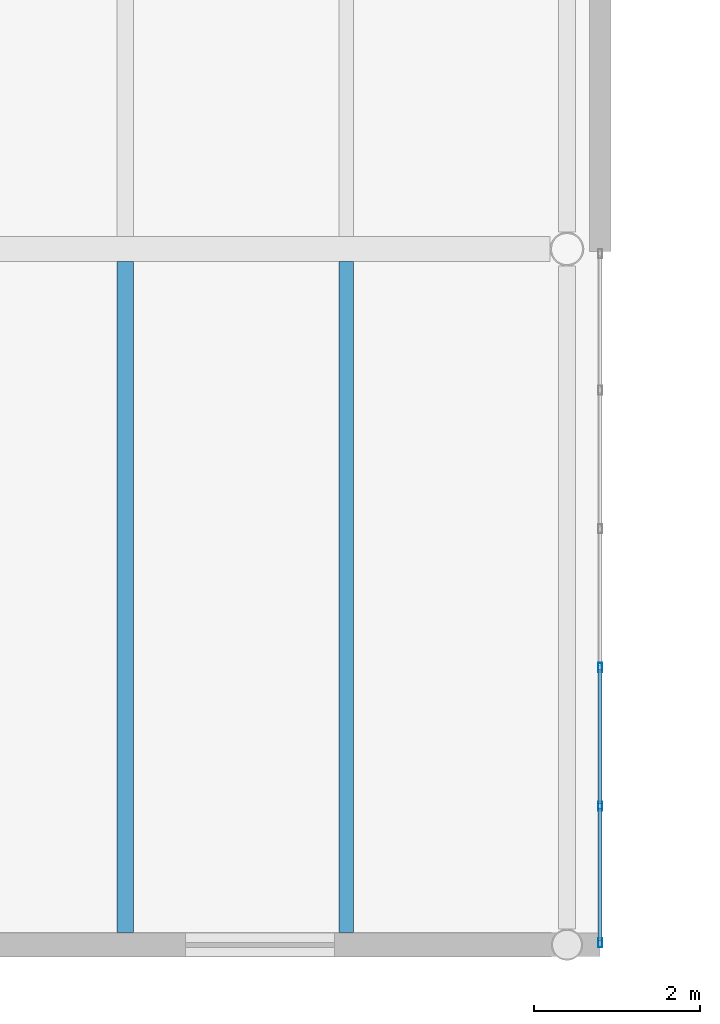
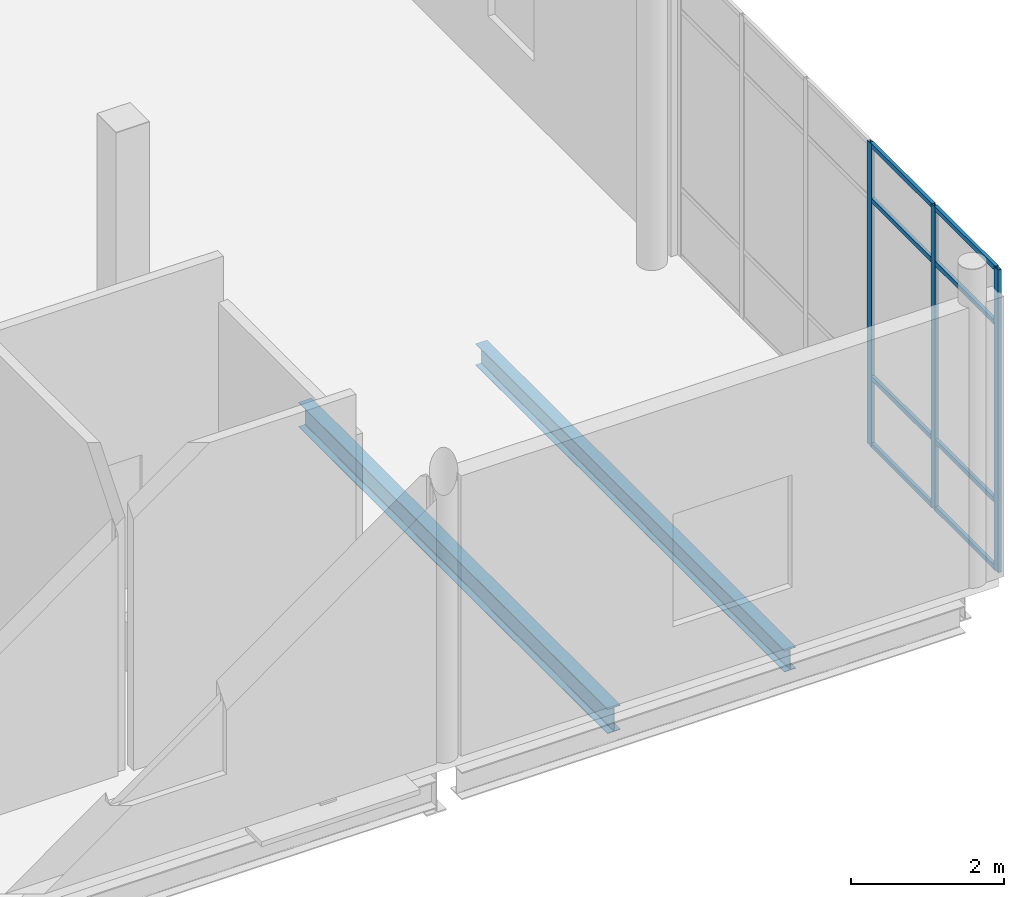
# One storey, part 40 of 104: 11 members, 2 beams, 1 element without a shape of its own.
"""IFC4 building model written with IfcOpenShell, lengths in metres."""

from ifc_helpers import new_model, si_unit, direction, frame, origin, origin_2d, place, context, subcontext, project, spatial, hollow_rectangle, i_section, extrude, material, layer, layer_set, material_profile, profile_set, type_object, element, aggregate, save


model = new_model("IFC4")

# Units and contexts
model_context = context("Model", 3, precision=1e-05, world=origin(), true_north=direction((0.0, 1.0)))
body_context = subcontext(model_context, "Body", "Model", "MODEL_VIEW")
ifc_project = project(units=[si_unit("LENGTHUNIT", "METRE"), si_unit("AREAUNIT", "SQUARE_METRE"), si_unit("VOLUMEUNIT", "CUBIC_METRE"), si_unit("PLANEANGLEUNIT", "RADIAN"), si_unit("MASSUNIT", "GRAM", prefix="KILO"), si_unit("THERMODYNAMICTEMPERATUREUNIT", "KELVIN")], contexts=[model_context])

# Site, building, storey
site_placement = place(None, origin())
site = spatial("IfcSite", under=ifc_project, at=site_placement, CompositionType="ELEMENT")
building_placement = place(site_placement, origin())
building = spatial("IfcBuilding", under=site, at=building_placement, Name="Lustrewick Department Store", CompositionType="ELEMENT")
storey_placement = place(building_placement, frame((0.0, 0.0, 11.39990234375)))
storey = spatial("IfcBuildingStorey", under=building, at=storey_placement, Name="L03", CompositionType="ELEMENT", Elevation=11.39990234375)

# Beams
ifc_material_1 = material(Name="Structural steel Q355B", Category="steel")
ifc_material_profile_1 = material_profile(ifc_material_1, i_section(OverallWidth=0.198974609375, OverallDepth=0.39599609375, WebThickness=0.007080078125, FlangeThickness=0.010986328125, FilletRadius=0.013916015625, at=origin_2d()), Name="HN 396x199x7x11")
ifc_profile_set_1 = profile_set([ifc_material_profile_1], Name="Structural steel Q355B")
beam_type_1 = type_object("IfcBeamType", Name="B06", PredefinedType="JOIST", material=ifc_profile_set_1)
beam_1_placement = place(storey_placement, frame((145.466796875, 8.550048828125, -0.452880859375), z_axis=(0.0, 1.0, 0.0), x_axis=(-1.0, 0.0, 0.0)))
element("IfcBeam", 1, at=beam_1_placement, inside=storey, type_object=beam_type_1, Name="L03 V3 Secondary Joist B06", PredefinedType="JOIST", context=body_context, shape_type="SweptSolid", body=[
    extrude(i_section(OverallWidth=0.198974609375, OverallDepth=0.39599609375, WebThickness=0.007080078125, FlangeThickness=0.010986328125, FilletRadius=0.013916015625, at=origin_2d()), origin(), (0.0, 0.0, 1.0), 8.098876953125),
])
ifc_material_profile_2 = material_profile(ifc_material_1, i_section(OverallWidth=0.174072265625, OverallDepth=0.345947265625, WebThickness=0.006103515625, FlangeThickness=0.009033203125, FilletRadius=0.012939453125, at=origin_2d()), Name="HN 346x174x6x9")
ifc_profile_set_2 = profile_set([ifc_material_profile_2], Name="Structural steel Q355B")
beam_type_2 = type_object("IfcBeamType", Name="B10", PredefinedType="JOIST", material=ifc_profile_set_2)
beam_2_placement = place(storey_placement, frame((148.13330078125, 8.550048828125, -0.427978515625), z_axis=(0.0, 1.0, 0.0), x_axis=(-1.0, 0.0, 0.0)))
element("IfcBeam", 2, at=beam_2_placement, inside=storey, type_object=beam_type_2, Name="L03 V3 Secondary Joist B10", PredefinedType="JOIST", context=body_context, shape_type="SweptSolid", body=[
    extrude(i_section(OverallWidth=0.174072265625, OverallDepth=0.345947265625, WebThickness=0.006103515625, FlangeThickness=0.009033203125, FilletRadius=0.012939453125, at=origin_2d()), origin(), (0.0, 0.0, 1.0), 8.098876953125),
])

# Curtain wall, members
ifc_material_2 = material(Name="Thermally broken aluminium 6063-T5", Category="aluminium")
ifc_layer = layer(ifc_material_2, 0.110107421875, Name="Thermally broken aluminium 6063-T5")
ifc_layer_set = layer_set([ifc_layer], Name="Thermally broken aluminium 6063-T5")
curtain_wall_type = type_object("IfcCurtainWallType", Name="CW09", PredefinedType="NOTDEFINED", material=ifc_layer_set)
curtain_wall_placement = place(storey_placement, origin())
curtain_wall = element("IfcCurtainWall", 3, at=curtain_wall_placement, inside=storey, type_object=curtain_wall_type, Name="L03 V3 Curtain Wall CW09", PredefinedType="NOTDEFINED")
ifc_material_profile_3 = material_profile(ifc_material_2, hollow_rectangle(XDim=0.050048828125, YDim=0.110107421875, WallThickness=0.0029296875, at=origin_2d()), Name="ALU-M 50x110x3")
ifc_profile_set_3 = profile_set([ifc_material_profile_3], Name="Thermally broken aluminium 6063-T5")
member_type_1 = type_object("IfcMemberType", Name="CW09-M1", PredefinedType="MULLION", material=ifc_profile_set_3)
member_1_placement = place(storey_placement, frame((151.199951171875, 8.425048828125, 0.0), z_axis=(0.0, 0.0, 1.0), x_axis=(-1.0, 0.0, 0.0)))
member_1 = element("IfcMember", 4, at=member_1_placement, type_object=member_type_1, Name="CW09 mullion 1", PredefinedType="MULLION", context=body_context, shape_type="SweptSolid", body=[
    extrude(hollow_rectangle(XDim=0.050048828125, YDim=0.110107421875, WallThickness=0.0029296875, at=origin_2d()), origin(), (0.0, 0.0, 1.0), 4.84521484375),
])
member_2_placement = place(storey_placement, frame((151.199951171875, 10.073974609375, 0.0), z_axis=(0.0, 0.0, 1.0), x_axis=(-1.0, 0.0, 0.0)))
member_2 = element("IfcMember", 5, at=member_2_placement, type_object=member_type_1, Name="CW09 mullion 2", PredefinedType="MULLION", context=body_context, shape_type="SweptSolid", body=[
    extrude(hollow_rectangle(XDim=0.050048828125, YDim=0.110107421875, WallThickness=0.0029296875, at=origin_2d()), origin(), (0.0, 0.0, 1.0), 4.84521484375),
])
member_3_placement = place(storey_placement, frame((151.199951171875, 11.748046875, 0.0), z_axis=(0.0, 0.0, 1.0), x_axis=(-1.0, 0.0, 0.0)))
member_3 = element("IfcMember", 6, at=member_3_placement, type_object=member_type_1, Name="CW09 mullion 3", PredefinedType="MULLION", context=body_context, shape_type="SweptSolid", body=[
    extrude(hollow_rectangle(XDim=0.050048828125, YDim=0.110107421875, WallThickness=0.0029296875, at=origin_2d()), origin(), (0.0, 0.0, 1.0), 4.84521484375),
])
ifc_material_profile_4 = material_profile(ifc_material_2, hollow_rectangle(XDim=0.050048828125, YDim=0.074951171875, WallThickness=0.0029296875, at=origin_2d()), Name="ALU-T 50x75x3")
ifc_profile_set_4 = profile_set([ifc_material_profile_4], Name="Thermally broken aluminium 6063-T5")
member_type_2 = type_object("IfcMemberType", Name="CW09-T1", PredefinedType="USERDEFINED", material=ifc_profile_set_4)
member_4_placement = place(storey_placement, frame((151.199951171875, 8.449951171875, 0.025146484375), z_axis=(0.0, 1.0, 0.0), x_axis=(-1.0, 0.0, 0.0)))
member_4 = element("IfcMember", 7, at=member_4_placement, type_object=member_type_2, Name="CW09 transom 1.1", ObjectType="TRANSOM", PredefinedType="USERDEFINED", context=body_context, shape_type="SweptSolid", body=[
    extrude(hollow_rectangle(XDim=0.050048828125, YDim=0.074951171875, WallThickness=0.0029296875, at=origin_2d()), origin(), (0.0, 0.0, 1.0), 1.59912109375),
])
member_5_placement = place(storey_placement, frame((151.199951171875, 8.449951171875, 1.10009765625), z_axis=(0.0, 1.0, 0.0), x_axis=(-1.0, 0.0, 0.0)))
member_5 = element("IfcMember", 8, at=member_5_placement, type_object=member_type_2, Name="CW09 transom 1.2", ObjectType="TRANSOM", PredefinedType="USERDEFINED", context=body_context, shape_type="SweptSolid", body=[
    extrude(hollow_rectangle(XDim=0.050048828125, YDim=0.074951171875, WallThickness=0.0029296875, at=origin_2d()), origin(), (0.0, 0.0, 1.0), 1.59912109375),
])
member_6_placement = place(storey_placement, frame((151.199951171875, 8.449951171875, 3.945068359375), z_axis=(0.0, 1.0, 0.0), x_axis=(-1.0, 0.0, 0.0)))
member_6 = element("IfcMember", 9, at=member_6_placement, type_object=member_type_2, Name="CW09 transom 1.3", ObjectType="TRANSOM", PredefinedType="USERDEFINED", context=body_context, shape_type="SweptSolid", body=[
    extrude(hollow_rectangle(XDim=0.050048828125, YDim=0.074951171875, WallThickness=0.0029296875, at=origin_2d()), origin(), (0.0, 0.0, 1.0), 1.59912109375),
])
member_7_placement = place(storey_placement, frame((151.199951171875, 8.449951171875, 4.820068359375), z_axis=(0.0, 1.0, 0.0), x_axis=(-1.0, 0.0, 0.0)))
member_7 = element("IfcMember", 10, at=member_7_placement, type_object=member_type_2, Name="CW09 transom 1.4", ObjectType="TRANSOM", PredefinedType="USERDEFINED", context=body_context, shape_type="SweptSolid", body=[
    extrude(hollow_rectangle(XDim=0.050048828125, YDim=0.074951171875, WallThickness=0.0029296875, at=origin_2d()), origin(), (0.0, 0.0, 1.0), 1.59912109375),
])
member_8_placement = place(storey_placement, frame((151.199951171875, 10.09912109375, 0.025146484375), z_axis=(0.0, 1.0, 0.0), x_axis=(-1.0, 0.0, 0.0)))
member_8 = element("IfcMember", 11, at=member_8_placement, type_object=member_type_2, Name="CW09 transom 2.1", ObjectType="TRANSOM", PredefinedType="USERDEFINED", context=body_context, shape_type="SweptSolid", body=[
    extrude(hollow_rectangle(XDim=0.050048828125, YDim=0.074951171875, WallThickness=0.0029296875, at=origin_2d()), origin(), (0.0, 0.0, 1.0), 1.623779296875),
])
member_9_placement = place(storey_placement, frame((151.199951171875, 10.09912109375, 1.10009765625), z_axis=(0.0, 1.0, 0.0), x_axis=(-1.0, 0.0, 0.0)))
member_9 = element("IfcMember", 12, at=member_9_placement, type_object=member_type_2, Name="CW09 transom 2.2", ObjectType="TRANSOM", PredefinedType="USERDEFINED", context=body_context, shape_type="SweptSolid", body=[
    extrude(hollow_rectangle(XDim=0.050048828125, YDim=0.074951171875, WallThickness=0.0029296875, at=origin_2d()), origin(), (0.0, 0.0, 1.0), 1.623779296875),
])
member_10_placement = place(storey_placement, frame((151.199951171875, 10.09912109375, 3.945068359375), z_axis=(0.0, 1.0, 0.0), x_axis=(-1.0, 0.0, 0.0)))
member_10 = element("IfcMember", 13, at=member_10_placement, type_object=member_type_2, Name="CW09 transom 2.3", ObjectType="TRANSOM", PredefinedType="USERDEFINED", context=body_context, shape_type="SweptSolid", body=[
    extrude(hollow_rectangle(XDim=0.050048828125, YDim=0.074951171875, WallThickness=0.0029296875, at=origin_2d()), origin(), (0.0, 0.0, 1.0), 1.623779296875),
])
member_11_placement = place(storey_placement, frame((151.199951171875, 10.09912109375, 4.820068359375), z_axis=(0.0, 1.0, 0.0), x_axis=(-1.0, 0.0, 0.0)))
member_11 = element("IfcMember", 14, at=member_11_placement, type_object=member_type_2, Name="CW09 transom 2.4", ObjectType="TRANSOM", PredefinedType="USERDEFINED", context=body_context, shape_type="SweptSolid", body=[
    extrude(hollow_rectangle(XDim=0.050048828125, YDim=0.074951171875, WallThickness=0.0029296875, at=origin_2d()), origin(), (0.0, 0.0, 1.0), 1.623779296875),
])
aggregate(curtain_wall, [member_1, member_2, member_3, member_4, member_5, member_6, member_7, member_8, member_9, member_10, member_11])

save(model, "model.ifc")
